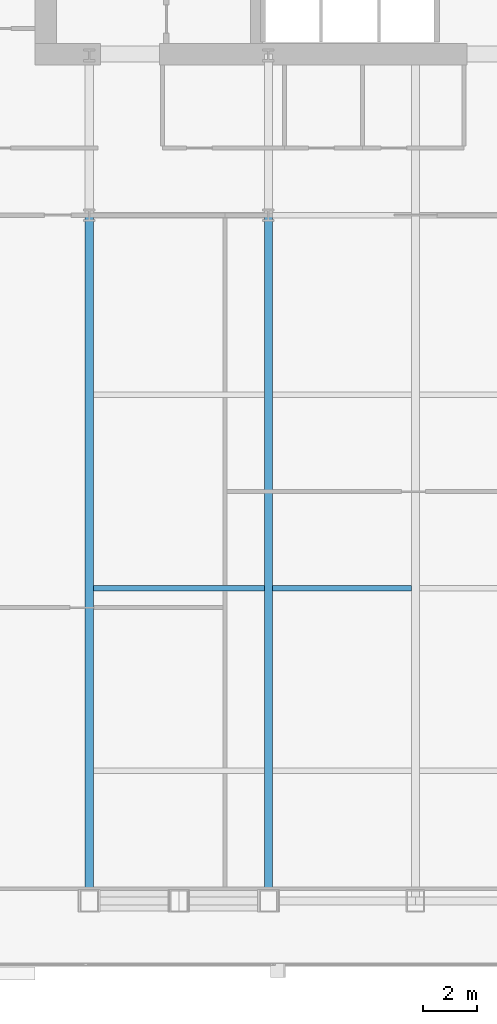
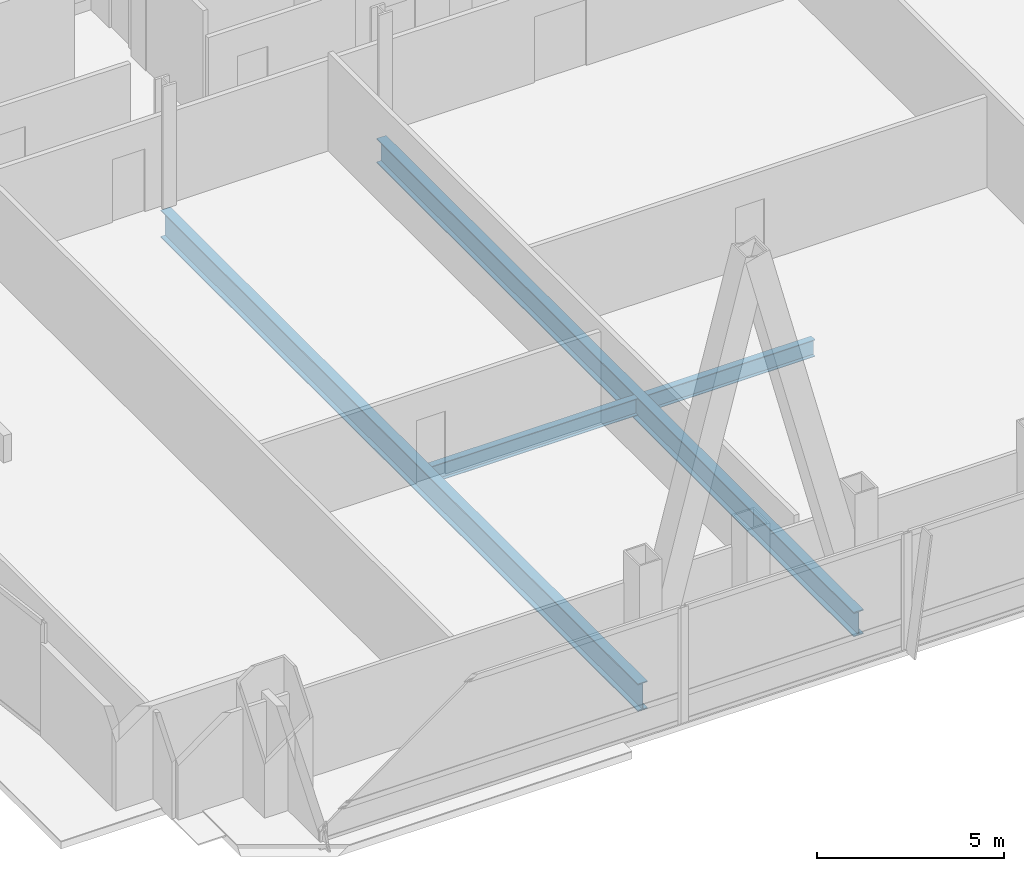
# One storey, part 8 of 32: 4 beams.
"""IFC4 building model written with IfcOpenShell, lengths in metres."""

from ifc_helpers import new_model, si_unit, direction, frame, origin, origin_2d, place, context, subcontext, project, spatial, i_section, extrude, material, material_profile, profile_set, type_object, element, save


model = new_model("IFC4")

# Units and contexts
model_context = context("Model", 3, precision=1e-05, world=origin(), true_north=direction((0.0, 1.0)))
body_context = subcontext(model_context, "Body", "Model", "MODEL_VIEW")
ifc_project = project(units=[si_unit("LENGTHUNIT", "METRE"), si_unit("AREAUNIT", "SQUARE_METRE"), si_unit("VOLUMEUNIT", "CUBIC_METRE"), si_unit("PLANEANGLEUNIT", "RADIAN"), si_unit("MASSUNIT", "GRAM", prefix="KILO")], contexts=[model_context])

# Site, building, storey
site_placement = place(None, origin())
site = spatial("IfcSite", under=ifc_project, at=site_placement, CompositionType="ELEMENT")
building_placement = place(site_placement, origin())
building = spatial("IfcBuilding", under=site, at=building_placement, Name="Khoronbel Lancet Exchange", CompositionType="ELEMENT")
storey_placement = place(building_placement, frame((0.0, 0.0, 81.800048828125)))
storey = spatial("IfcBuildingStorey", under=building, at=storey_placement, Name="L19", CompositionType="ELEMENT", Elevation=81.800048828125)

# Beams
ifc_material = material(Name="Steel S355", Category="steel")
ifc_material_profile_1 = material_profile(ifc_material, i_section(OverallWidth=0.300048828125, OverallDepth=0.89990234375, WebThickness=0.0185546875, FlangeThickness=0.034912109375, at=origin_2d()), Name="HEB 900")
ifc_profile_set_1 = profile_set([ifc_material_profile_1], Name="Steel S355")
beam_type_1 = type_object("IfcBeamType", Name="BM-BG1", PredefinedType="BEAM", material=ifc_profile_set_1)
beam_1_placement = place(storey_placement, frame((18.22509765625, 10.14990234375, -0.630126953125), z_axis=(0.0, 1.0, 0.0), x_axis=(-1.0, 0.0, 0.0)))
element("IfcBeam", 1, at=beam_1_placement, inside=storey, type_object=beam_type_1, Name="Level L19 south primary girder GS1", PredefinedType="BEAM", context=body_context, shape_type="SweptSolid", body=[
    extrude(i_section(OverallWidth=0.300048828125, OverallDepth=0.89990234375, WebThickness=0.0185546875, FlangeThickness=0.034912109375, at=origin_2d()), origin(), (0.0, 0.0, 1.0), 25.550048828125),
])
ifc_material_profile_2 = material_profile(ifc_material, i_section(OverallWidth=0.300048828125, OverallDepth=0.800048828125, WebThickness=0.017578125, FlangeThickness=0.032958984375, at=origin_2d()), Name="HEB 800")
ifc_profile_set_2 = profile_set([ifc_material_profile_2], Name="Steel S355")
beam_type_2 = type_object("IfcBeamType", Name="BM-BG2", PredefinedType="BEAM", material=ifc_profile_set_2)
beam_2_placement = place(storey_placement, frame((24.89990234375, 10.14990234375, -0.580078125), z_axis=(0.0, 1.0, 0.0), x_axis=(-1.0, 0.0, 0.0)))
element("IfcBeam", 2, at=beam_2_placement, inside=storey, type_object=beam_type_2, Name="Level L19 south primary girder GS2", PredefinedType="BEAM", context=body_context, shape_type="SweptSolid", body=[
    extrude(i_section(OverallWidth=0.300048828125, OverallDepth=0.800048828125, WebThickness=0.017578125, FlangeThickness=0.032958984375, at=origin_2d()), origin(), (0.0, 0.0, 1.0), 25.550048828125),
])
ifc_material_profile_3 = material_profile(ifc_material, i_section(OverallWidth=0.2099609375, OverallDepth=0.550048828125, WebThickness=0.010986328125, FlangeThickness=0.01708984375, at=origin_2d()), Name="IPE 550")
ifc_profile_set_3 = profile_set([ifc_material_profile_3], Name="Steel S355")
beam_type_3 = type_object("IfcBeamType", Name="BM-BJ2", PredefinedType="JOIST", material=ifc_profile_set_3)
beam_3_placement = place(storey_placement, frame((18.375, 21.800048828125, -0.455078125), z_axis=(1.0, 0.0, 0.0), x_axis=(0.0, 1.0, 0.0)))
element("IfcBeam", 3, at=beam_3_placement, inside=storey, type_object=beam_type_3, Name="Level L19 secondary composite joist J06", PredefinedType="JOIST", context=body_context, shape_type="SweptSolid", body=[
    extrude(i_section(OverallWidth=0.2099609375, OverallDepth=0.550048828125, WebThickness=0.010986328125, FlangeThickness=0.01708984375, at=origin_2d()), origin(), (0.0, 0.0, 1.0), 6.375),
])
beam_4_placement = place(storey_placement, frame((25.050048828125, 21.800048828125, -0.455078125), z_axis=(1.0, 0.0, 0.0), x_axis=(0.0, 1.0, 0.0)))
element("IfcBeam", 4, at=beam_4_placement, inside=storey, type_object=beam_type_3, Name="Level L19 secondary composite joist J07", PredefinedType="JOIST", context=body_context, shape_type="SweptSolid", body=[
    extrude(i_section(OverallWidth=0.2099609375, OverallDepth=0.550048828125, WebThickness=0.010986328125, FlangeThickness=0.01708984375, at=origin_2d()), origin(), (0.0, 0.0, 1.0), 5.175048828125),
])

save(model, "model.ifc")
